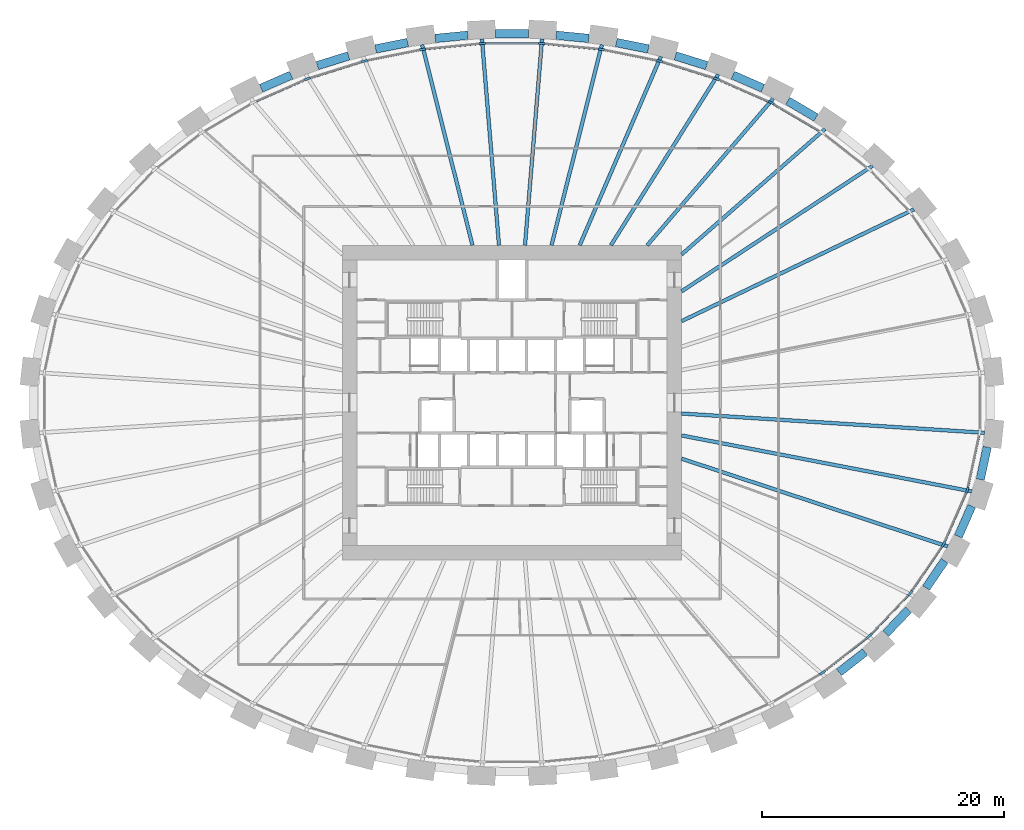
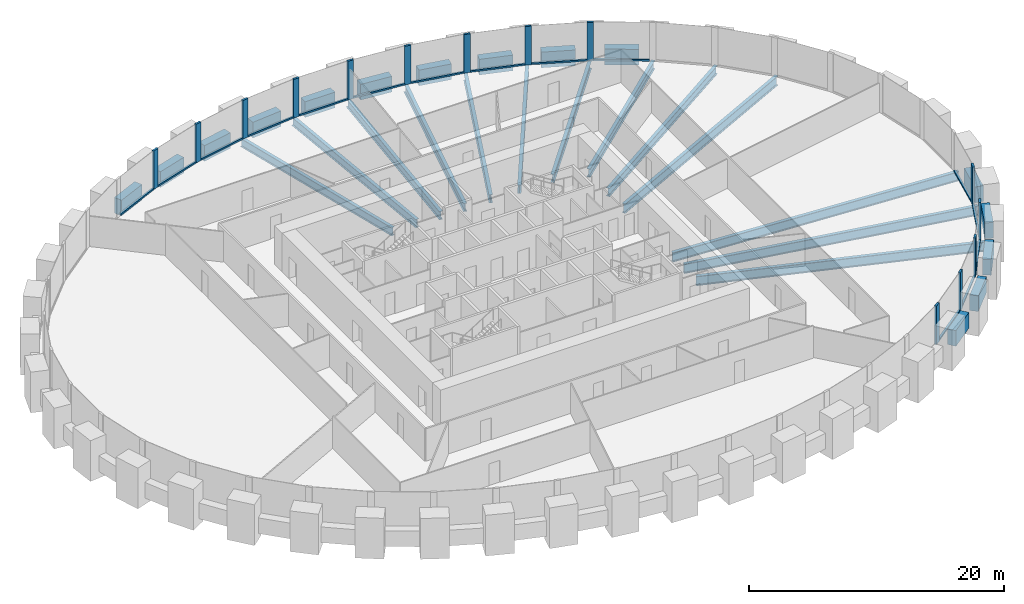
# One storey, part 3 of 10: 29 members, 28 beams, 1 element without a shape of its own.
"""IFC4 building model written with IfcOpenShell, lengths in metres."""

from ifc_helpers import new_model, si_unit, direction, frame, origin, origin_2d, place, context, subcontext, project, spatial, rectangle, i_section, extrude, source, transform, mapped, material, material_profile, profile_set, type_object, element, aggregate, save


model = new_model("IFC4")

# Units and contexts
model_context = context("Model", 3, precision=1e-05, world=origin(), true_north=direction((0.0, 1.0)))
body_context = subcontext(model_context, "Body", "Model", "MODEL_VIEW")
ifc_project = project(units=[si_unit("LENGTHUNIT", "METRE"), si_unit("AREAUNIT", "SQUARE_METRE"), si_unit("VOLUMEUNIT", "CUBIC_METRE"), si_unit("PLANEANGLEUNIT", "RADIAN"), si_unit("MASSUNIT", "GRAM", prefix="KILO")], contexts=[model_context])

# Site, building, storey
site_placement = place(None, origin())
site = spatial("IfcSite", under=ifc_project, at=site_placement, CompositionType="ELEMENT")
building_placement = place(site_placement, origin())
building = spatial("IfcBuilding", under=site, at=building_placement, Name="Embergate Tower", CompositionType="ELEMENT")
storey_placement = place(building_placement, frame((0.0, 0.0, 117.199951171875)))
storey = spatial("IfcBuildingStorey", under=building, at=storey_placement, Name="L25", CompositionType="ELEMENT", Elevation=117.199951171875)

# Beams
ifc_material_1 = material(Name="Concrete C70", Category="concrete")
ifc_material_profile_1 = material_profile(ifc_material_1, rectangle(XDim=0.699951171875, YDim=1.5, at=origin_2d()), Name="RC 700x1500")
ifc_profile_set_1 = profile_set([ifc_material_profile_1], Name="Concrete C70")
beam_type_1 = type_object("IfcBeamType", Name="Spandrel beam RC 700x1500 C70", PredefinedType="BEAM", material=ifc_profile_set_1)
shared_shape_1 = source(origin(), body_context, "Body", "SweptSolid", [
    extrude(rectangle(XDim=0.699951171875, YDim=1.5, at=origin_2d()), origin(), (0.0, 0.0, 1.0), 2.741455078125),
])
beam_1_placement = place(storey_placement, frame((38.64794921875, -6.337890625, 0.0), z_axis=(0.210532507107, 0.977586857241, 0.0), x_axis=(-0.977586857241, 0.210532507107, 0.0)))
element("IfcBeam", 1, at=beam_1_placement, inside=storey, type_object=beam_type_1, Name="SPN-L25-42", PredefinedType="BEAM", context=body_context, shape_type="MappedRepresentation", body=[
    mapped(shared_shape_1, transform((0.0, 0.0, 0.0))),
])
shared_shape_2 = source(origin(), body_context, "Body", "SweptSolid", [
    extrude(rectangle(XDim=0.699951171875, YDim=1.5, at=origin_2d()), origin(), (0.0, 0.0, 1.0), 2.73779296875),
])
beam_2_placement = place(storey_placement, frame((36.841064453125, -11.032958984375, 0.0), z_axis=(0.401740219387, 0.915753676556, 0.0), x_axis=(-0.915753676556, 0.401740219387, 0.0)))
element("IfcBeam", 2, at=beam_2_placement, inside=storey, type_object=beam_type_1, Name="SPN-L25-41", PredefinedType="BEAM", context=body_context, shape_type="MappedRepresentation", body=[
    mapped(shared_shape_2, transform((0.0, 0.0, 0.0))),
])
shared_shape_3 = source(origin(), body_context, "Body", "SweptSolid", [
    extrude(rectangle(XDim=0.699951171875, YDim=1.5, at=origin_2d()), origin(), (0.0, 0.0, 1.0), 2.727294921875),
])
beam_3_placement = place(storey_placement, frame((34.176025390625, -15.291015625, 0.0), z_axis=(0.562422644454, 0.826849907181, 0.0), x_axis=(-0.826849907181, 0.562422644454, 0.0)))
element("IfcBeam", 3, at=beam_3_placement, inside=storey, type_object=beam_type_1, Name="SPN-L25-40", PredefinedType="BEAM", context=body_context, shape_type="MappedRepresentation", body=[
    mapped(shared_shape_3, transform((0.0, 0.0, 0.0))),
])
shared_shape_4 = source(origin(), body_context, "Body", "SweptSolid", [
    extrude(rectangle(XDim=0.699951171875, YDim=1.5, at=origin_2d()), origin(), (0.0, 0.0, 1.0), 2.720947265625),
])
beam_4_placement = place(storey_placement, frame((30.85302734375, -19.050048828125, 0.0), z_axis=(0.690174788546, 0.723642702759, 0.0), x_axis=(-0.723642702759, 0.690174788546, 0.0)))
element("IfcBeam", 4, at=beam_4_placement, inside=storey, type_object=beam_type_1, Name="SPN-L25-39", PredefinedType="BEAM", context=body_context, shape_type="MappedRepresentation", body=[
    mapped(shared_shape_4, transform((0.0, 0.0, 0.0))),
])
shared_shape_5 = source(origin(), body_context, "Body", "SweptSolid", [
    extrude(rectangle(XDim=0.699951171875, YDim=1.5, at=origin_2d()), origin(), (0.0, 0.0, 1.0), 2.715087890625),
])
beam_5_placement = place(storey_placement, frame((26.9951171875, -22.25, 0.0), z_axis=(0.788183854673, 0.61543985184, 0.0), x_axis=(-0.61543985184, 0.788183854673, 0.0)))
element("IfcBeam", 5, at=beam_5_placement, inside=storey, type_object=beam_type_1, Name="SPN-L25-38", PredefinedType="BEAM", context=body_context, shape_type="MappedRepresentation", body=[
    mapped(shared_shape_5, transform((0.0, 0.0, 0.0))),
])
shared_shape_6 = source(origin(), body_context, "Body", "SweptSolid", [
    extrude(rectangle(XDim=0.699951171875, YDim=1.5, at=origin_2d()), origin(), (0.0, 0.0, 1.0), 2.70947265625),
])
beam_6_placement = place(storey_placement, frame((25.093017578125, 23.54296875, 0.0), z_axis=(-0.862100939268, 0.506736588884, 0.0), x_axis=(-0.506736588884, -0.862100939268, 0.0)))
element("IfcBeam", 6, at=beam_6_placement, inside=storey, type_object=beam_type_1, Name="SPN-L25-05", PredefinedType="BEAM", context=body_context, shape_type="MappedRepresentation", body=[
    mapped(shared_shape_6, transform((0.0, 0.0, 0.0))),
])
shared_shape_7 = source(origin(), body_context, "Body", "SweptSolid", [
    extrude(rectangle(XDim=0.699951171875, YDim=1.5, at=origin_2d()), origin(), (0.0, 0.0, 1.0), 2.70751953125),
])
for number, where, z_axis, x_axis, name in (
    (7, (20.7080078125, 25.9619140625, 0.0), (-0.91635176707, 0.400374123774, 0.0), (-0.400374123774, -0.91635176707, 0.0), "SPN-L25-06"),
    (8, (-18.22705078125, 27.0458984375, 0.0), (-0.91635176707, -0.400374123774, 0.0), (0.400374123774, -0.91635176707, 0.0), "SPN-L25-14"),
):
    element("IfcBeam", number, at=place(storey_placement, frame(where, z_axis=z_axis, x_axis=x_axis)), inside=storey, type_object=beam_type_1, Name=name, PredefinedType="BEAM", context=body_context, shape_type="MappedRepresentation", body=[
        mapped(shared_shape_7, transform((0.0, 0.0, 0.0))),
    ])
shared_shape_8 = source(origin(), body_context, "Body", "SweptSolid", [
    extrude(rectangle(XDim=0.699951171875, YDim=1.5, at=origin_2d()), origin(), (0.0, 0.0, 1.0), 2.701171875),
])
for number, where, z_axis, x_axis, name in (
    (9, (16.06494140625, 27.8310546875, 0.0), (-0.954683993788, 0.297621356768, 0.0), (-0.297621356768, -0.954683993788, 0.0), "SPN-L25-07"),
    (10, (11.257080078125, 29.202880859375, 0.0), (-0.980395998514, 0.197037270836, 0.0), (-0.197037270836, -0.980395998514, 0.0), "SPN-L25-08"),
    (11, (-8.60888671875, 29.735107421875, 0.0), (-0.980395998514, -0.197037270836, 0.0), (0.197037270836, -0.980395998514, 0.0), "SPN-L25-12"),
    (12, (-13.486083984375, 28.635009765625, 0.0), (-0.954683993788, -0.297621356768, 0.0), (0.297621356768, -0.954683993788, 0.0), "SPN-L25-13"),
):
    element("IfcBeam", number, at=place(storey_placement, frame(where, z_axis=z_axis, x_axis=x_axis)), inside=storey, type_object=beam_type_1, Name=name, PredefinedType="BEAM", context=body_context, shape_type="MappedRepresentation", body=[
        mapped(shared_shape_8, transform((0.0, 0.0, 0.0))),
    ])
shared_shape_9 = source(origin(), body_context, "Body", "SweptSolid", [
    extrude(rectangle(XDim=0.699951171875, YDim=1.5, at=origin_2d()), origin(), (0.0, 0.0, 1.0), 2.699951171875),
])
for number, where, z_axis, x_axis, name in (
    (13, (6.333984375, 30.073974609375, 0.0), (-0.995211120004, 0.097748793451, 0.0), (-0.097748793451, -0.995211120004, 0.0), "SPN-L25-09"),
    (14, (-3.64697265625, 30.337890625, 0.0), (-0.995211120004, -0.097748793451, 0.0), (0.097748793451, -0.995211120004, 0.0), "SPN-L25-11"),
):
    element("IfcBeam", number, at=place(storey_placement, frame(where, z_axis=z_axis, x_axis=x_axis)), inside=storey, type_object=beam_type_1, Name=name, PredefinedType="BEAM", context=body_context, shape_type="MappedRepresentation", body=[
        mapped(shared_shape_9, transform((0.0, 0.0, 0.0))),
    ])
shared_shape_10 = source(origin(), body_context, "Body", "SweptSolid", [
    extrude(rectangle(XDim=0.699951171875, YDim=1.5, at=origin_2d()), origin(), (0.0, 0.0, 1.0), 2.7001953125),
])
beam_7_placement = place(storey_placement, frame((1.35009765625, 30.450927734375, 0.0), z_axis=(-1.0, 0.0, 0.0), x_axis=(0.0, -1.0, 0.0)))
element("IfcBeam", 15, at=beam_7_placement, inside=storey, type_object=beam_type_1, Name="SPN-L25-10", PredefinedType="BEAM", context=body_context, shape_type="MappedRepresentation", body=[
    mapped(shared_shape_10, transform((0.0, 0.0, 0.0))),
])
ifc_material_2 = material(Name="Steel Q355B", Category="steel")
ifc_material_profile_2 = material_profile(ifc_material_2, i_section(OverallWidth=0.300048828125, OverallDepth=0.89990234375, WebThickness=0.01611328125, FlangeThickness=0.028076171875, FilletRadius=0.028076171875, at=origin_2d()), Name="HN 900x300x16x28")
ifc_profile_set_2 = profile_set([ifc_material_profile_2], Name="Steel Q355 grade B")
beam_type_2 = type_object("IfcBeamType", Name="Radial girder HN 900x300x16x28", PredefinedType="BEAM", material=ifc_profile_set_2)
shared_shape_11 = source(origin(), body_context, "Body", "SweptSolid", [
    extrude(i_section(OverallWidth=0.300048828125, OverallDepth=0.89990234375, WebThickness=0.01611328125, FlangeThickness=0.028076171875, FilletRadius=0.028076171875, at=origin_2d()), origin(), (0.0, 0.0, 1.0), 25.04833984375),
])
beam_8_placement = place(storey_placement, frame((38.998046875, -2.47705078125, -0.64990234375), z_axis=(-0.997988035397, 0.063402533111, 0.0), x_axis=(-0.063402533111, -0.997988035397, 0.0)))
element("IfcBeam", 16, at=beam_8_placement, inside=storey, type_object=beam_type_2, Name="GIR-L25-43", PredefinedType="BEAM", context=body_context, shape_type="MappedRepresentation", body=[
    mapped(shared_shape_11, transform((0.0, 0.0, 0.0))),
])
shared_shape_12 = source(origin(), body_context, "Body", "SweptSolid", [
    extrude(i_section(OverallWidth=0.300048828125, OverallDepth=0.89990234375, WebThickness=0.01611328125, FlangeThickness=0.028076171875, FilletRadius=0.028076171875, at=origin_2d()), origin(), (0.0, 0.0, 1.0), 24.397705078125),
])
beam_9_placement = place(storey_placement, frame((37.9560546875, -7.322021484375, -0.64990234375), z_axis=(-0.981898654656, 0.18940705368, 0.0), x_axis=(-0.18940705368, -0.981898654656, 0.0)))
element("IfcBeam", 17, at=beam_9_placement, inside=storey, type_object=beam_type_2, Name="GIR-L25-42", PredefinedType="BEAM", context=body_context, shape_type="MappedRepresentation", body=[
    mapped(shared_shape_12, transform((0.0, 0.0, 0.0))),
])
shared_shape_13 = source(origin(), body_context, "Body", "SweptSolid", [
    extrude(i_section(OverallWidth=0.300048828125, OverallDepth=0.89990234375, WebThickness=0.01611328125, FlangeThickness=0.028076171875, FilletRadius=0.028076171875, at=origin_2d()), origin(), (0.0, 0.0, 1.0), 23.12890625),
])
beam_10_placement = place(storey_placement, frame((35.965087890625, -11.861083984375, -0.64990234375), z_axis=(-0.949684454756, 0.313208295541, 0.0), x_axis=(-0.313208295541, -0.949684454756, 0.0)))
element("IfcBeam", 18, at=beam_10_placement, inside=storey, type_object=beam_type_2, Name="GIR-L25-41", PredefinedType="BEAM", context=body_context, shape_type="MappedRepresentation", body=[
    mapped(shared_shape_13, transform((0.0, 0.0, 0.0))),
])
shared_shape_14 = source(origin(), body_context, "Body", "SweptSolid", [
    extrude(i_section(OverallWidth=0.300048828125, OverallDepth=0.89990234375, WebThickness=0.01611328125, FlangeThickness=0.028076171875, FilletRadius=0.028076171875, at=origin_2d()), origin(), (0.0, 0.0, 1.0), 21.28076171875),
])
beam_11_placement = place(storey_placement, frame((33.177001953125, 15.9609375, -0.64990234375), z_axis=(-0.901140134985, -0.433527919654, 0.0), x_axis=(0.433527919654, -0.901140134985, 0.0)))
element("IfcBeam", 19, at=beam_11_placement, inside=storey, type_object=beam_type_2, Name="GIR-L25-03", PredefinedType="BEAM", context=body_context, shape_type="MappedRepresentation", body=[
    mapped(shared_shape_14, transform((0.0, 0.0, 0.0))),
])
ifc_material_profile_3 = material_profile(ifc_material_2, i_section(OverallWidth=0.300048828125, OverallDepth=0.800048828125, WebThickness=0.013916015625, FlangeThickness=0.02587890625, FilletRadius=0.028076171875, at=origin_2d()), Name="HN 800x300x14x26")
ifc_profile_set_3 = profile_set([ifc_material_profile_3], Name="Steel Q355 grade B")
beam_type_3 = type_object("IfcBeamType", Name="Radial girder HN 800x300x14x26", PredefinedType="BEAM", material=ifc_profile_set_3)
shared_shape_15 = source(origin(), body_context, "Body", "SweptSolid", [
    extrude(i_section(OverallWidth=0.300048828125, OverallDepth=0.800048828125, WebThickness=0.013916015625, FlangeThickness=0.02587890625, FilletRadius=0.028076171875, at=origin_2d()), origin(), (0.0, 0.0, 1.0), 18.8515625),
])
beam_12_placement = place(storey_placement, frame((29.7548828125, 19.550048828125, -0.599853515625), z_axis=(-0.835733668862, -0.549134987713, 0.0), x_axis=(0.549134987713, -0.835733668862, 0.0)))
element("IfcBeam", 20, at=beam_12_placement, inside=storey, type_object=beam_type_3, Name="GIR-L25-04", PredefinedType="BEAM", context=body_context, shape_type="MappedRepresentation", body=[
    mapped(shared_shape_15, transform((0.0, 0.0, 0.0))),
])
shared_shape_16 = source(origin(), body_context, "Body", "SweptSolid", [
    extrude(i_section(OverallWidth=0.300048828125, OverallDepth=0.800048828125, WebThickness=0.013916015625, FlangeThickness=0.02587890625, FilletRadius=0.028076171875, at=origin_2d()), origin(), (0.0, 0.0, 1.0), 15.73583984375),
])
beam_13_placement = place(storey_placement, frame((25.844970703125, 22.60205078125, -0.599853515625), z_axis=(-0.752741020376, -0.658316759807, 0.0), x_axis=(0.658316759807, -0.752741020376, 0.0)))
element("IfcBeam", 21, at=beam_13_placement, inside=storey, type_object=beam_type_3, Name="GIR-L25-05", PredefinedType="BEAM", context=body_context, shape_type="MappedRepresentation", body=[
    mapped(shared_shape_16, transform((0.0, 0.0, 0.0))),
])
shared_shape_17 = source(origin(), body_context, "Body", "SweptSolid", [
    extrude(i_section(OverallWidth=0.300048828125, OverallDepth=0.800048828125, WebThickness=0.013916015625, FlangeThickness=0.02587890625, FilletRadius=0.028076171875, at=origin_2d()), origin(), (0.0, 0.0, 1.0), 15.969970703125),
])
beam_14_placement = place(storey_placement, frame((21.568115234375, 25.115966796875, -0.599853515625), z_axis=(-0.651474728506, -0.758670335599, 0.0), x_axis=(0.758670335599, -0.651474728506, 0.0)))
element("IfcBeam", 22, at=beam_14_placement, inside=storey, type_object=beam_type_3, Name="GIR-L25-06", PredefinedType="BEAM", context=body_context, shape_type="MappedRepresentation", body=[
    mapped(shared_shape_17, transform((0.0, 0.0, 0.0))),
])
shared_shape_18 = source(origin(), body_context, "Body", "SweptSolid", [
    extrude(i_section(OverallWidth=0.300048828125, OverallDepth=0.800048828125, WebThickness=0.013916015625, FlangeThickness=0.02587890625, FilletRadius=0.028076171875, at=origin_2d()), origin(), (0.0, 0.0, 1.0), 16.65478515625),
])
beam_15_placement = place(storey_placement, frame((17.02197265625, 27.10400390625, -0.599853515625), z_axis=(-0.531850282952, -0.846838400478, 0.0), x_axis=(0.846838400478, -0.531850282952, 0.0)))
element("IfcBeam", 23, at=beam_15_placement, inside=storey, type_object=beam_type_3, Name="GIR-L25-07", PredefinedType="BEAM", context=body_context, shape_type="MappedRepresentation", body=[
    mapped(shared_shape_18, transform((0.0, 0.0, 0.0))),
])
shared_shape_19 = source(origin(), body_context, "Body", "SweptSolid", [
    extrude(i_section(OverallWidth=0.300048828125, OverallDepth=0.800048828125, WebThickness=0.013916015625, FlangeThickness=0.02587890625, FilletRadius=0.028076171875, at=origin_2d()), origin(), (0.0, 0.0, 1.0), 16.95751953125),
])
beam_16_placement = place(storey_placement, frame((12.284912109375, 28.5791015625, -0.599853515625), z_axis=(-0.394928600028, -0.918711816012, 0.0), x_axis=(0.918711816012, -0.394928600028, 0.0)))
element("IfcBeam", 24, at=beam_16_placement, inside=storey, type_object=beam_type_3, Name="GIR-L25-08", PredefinedType="BEAM", context=body_context, shape_type="MappedRepresentation", body=[
    mapped(shared_shape_19, transform((0.0, 0.0, 0.0))),
])
shared_shape_20 = source(origin(), body_context, "Body", "SweptSolid", [
    extrude(i_section(OverallWidth=0.300048828125, OverallDepth=0.800048828125, WebThickness=0.013916015625, FlangeThickness=0.02587890625, FilletRadius=0.028076171875, at=origin_2d()), origin(), (0.0, 0.0, 1.0), 17.068603515625),
])
for number, where, z_axis, x_axis, name in (
    (25, (7.419921875, 29.554931640625, -0.599853515625), (-0.243487950905, -0.969903921924, 0.0), (0.969903921924, -0.243487950905, 0.0), "GIR-L25-09"),
    (26, (-7.419921875, 29.554931640625, -0.599853515625), (0.243487950905, -0.969903921924, 0.0), (0.969903921924, 0.243487950905, 0.0), "GIR-L25-12"),
):
    element("IfcBeam", number, at=place(storey_placement, frame(where, z_axis=z_axis, x_axis=x_axis)), inside=storey, type_object=beam_type_3, Name=name, PredefinedType="BEAM", context=body_context, shape_type="MappedRepresentation", body=[
        mapped(shared_shape_20, transform((0.0, 0.0, 0.0))),
    ])
shared_shape_21 = source(origin(), body_context, "Body", "SweptSolid", [
    extrude(i_section(OverallWidth=0.300048828125, OverallDepth=0.800048828125, WebThickness=0.013916015625, FlangeThickness=0.02587890625, FilletRadius=0.028076171875, at=origin_2d()), origin(), (0.0, 0.0, 1.0), 17.09912109375),
])
for number, where, z_axis, x_axis, name in (
    (27, (2.48095703125, 30.041015625, -0.599853515625), (-0.082284484054, -0.996608882001, 0.0), (0.996608882001, -0.082284484054, 0.0), "GIR-L25-10"),
    (28, (-2.48095703125, 30.041015625, -0.599853515625), (0.082284484054, -0.996608882001, 0.0), (0.996608882001, 0.082284484054, 0.0), "GIR-L25-11"),
):
    element("IfcBeam", number, at=place(storey_placement, frame(where, z_axis=z_axis, x_axis=x_axis)), inside=storey, type_object=beam_type_3, Name=name, PredefinedType="BEAM", context=body_context, shape_type="MappedRepresentation", body=[
        mapped(shared_shape_21, transform((0.0, 0.0, 0.0))),
    ])

# Curtain wall, members
ifc_material_3 = material(Name="Aluminium and glass", Category="aluminium")
curtain_wall_type = type_object("IfcCurtainWallType", Name="Recessed office glazing", PredefinedType="NOTDEFINED", material=ifc_material_3)
curtain_wall_placement = place(storey_placement, origin())
curtain_wall = element("IfcCurtainWall", 29, at=curtain_wall_placement, inside=storey, type_object=curtain_wall_type, Name="Recessed office glazing ring", ObjectType="RECESSED OFFICE GLAZING", PredefinedType="USERDEFINED")
ifc_material_4 = material(Name="Aluminium, thermally broken", Category="aluminium")
ifc_material_profile_4 = material_profile(ifc_material_4, rectangle(XDim=0.179931640625, YDim=0.52001953125, at=origin_2d()), Name="AL 520x180")
ifc_profile_set_4 = profile_set([ifc_material_profile_4], Name="Aluminium, thermally broken")
member_type_1 = type_object("IfcMemberType", Name="Office mullion", PredefinedType="MULLION", material=ifc_profile_set_4)
shared_shape_22 = source(origin(), body_context, "Body", "SweptSolid", [
    extrude(rectangle(XDim=0.179931640625, YDim=0.52001953125, at=origin_2d()), origin(), (0.0, 0.0, 1.0), 3.699951171875),
])
member_1_placement = place(storey_placement, frame((21.391357421875, 24.768310546875, 0.0), z_axis=(0.0, 0.0, 1.0), x_axis=(-0.454516044429, -0.890738550506, 0.0)))
member_1 = element("IfcMember", 30, at=member_1_placement, type_object=member_type_1, Name="CW mullion 7", PredefinedType="MULLION", context=body_context, shape_type="MappedRepresentation", body=[
    mapped(shared_shape_22, transform((0.0, 0.0, 0.0))),
])
member_2_placement = place(storey_placement, frame((16.88623046875, 26.73828125, 0.0), z_axis=(0.0, 0.0, 1.0), x_axis=(-0.34950595337, -0.936934143128, 0.0)))
member_2 = element("IfcMember", 31, at=member_2_placement, type_object=member_type_1, Name="CW mullion 8", PredefinedType="MULLION", context=body_context, shape_type="MappedRepresentation", body=[
    mapped(shared_shape_22, transform((0.0, 0.0, 0.0))),
])
member_3_placement = place(storey_placement, frame((12.1884765625, 28.201171875, 0.0), z_axis=(0.0, 0.0, 1.0), x_axis=(-0.247315263593, -0.968935065107, 0.0)))
member_3 = element("IfcMember", 32, at=member_3_placement, type_object=member_type_1, Name="CW mullion 9", PredefinedType="MULLION", context=body_context, shape_type="MappedRepresentation", body=[
    mapped(shared_shape_22, transform((0.0, 0.0, 0.0))),
])
member_4_placement = place(storey_placement, frame((7.3623046875, 29.169189453125, 0.0), z_axis=(0.0, 0.0, 1.0), x_axis=(-0.14741410908, -0.98907486089, 0.0)))
member_4 = element("IfcMember", 33, at=member_4_placement, type_object=member_type_1, Name="CW mullion 10", PredefinedType="MULLION", context=body_context, shape_type="MappedRepresentation", body=[
    mapped(shared_shape_22, transform((0.0, 0.0, 0.0))),
])
member_5_placement = place(storey_placement, frame((2.462158203125, 29.65087890625, 0.0), z_axis=(0.0, 0.0, 1.0), x_axis=(-0.048971796621, -0.998800161762, 0.0)))
member_5 = element("IfcMember", 34, at=member_5_placement, type_object=member_type_1, Name="CW mullion 11", PredefinedType="MULLION", context=body_context, shape_type="MappedRepresentation", body=[
    mapped(shared_shape_22, transform((0.0, 0.0, 0.0))),
])
member_6_placement = place(storey_placement, frame((-2.462158203125, 29.65087890625, 0.0), z_axis=(0.0, 0.0, 1.0), x_axis=(0.048971796621, -0.998800161762, 0.0)))
member_6 = element("IfcMember", 35, at=member_6_placement, type_object=member_type_1, Name="CW mullion 12", PredefinedType="MULLION", context=body_context, shape_type="MappedRepresentation", body=[
    mapped(shared_shape_22, transform((0.0, 0.0, 0.0))),
])
member_7_placement = place(storey_placement, frame((-7.3623046875, 29.169189453125, 0.0), z_axis=(0.0, 0.0, 1.0), x_axis=(0.14741410908, -0.98907486089, 0.0)))
member_7 = element("IfcMember", 36, at=member_7_placement, type_object=member_type_1, Name="CW mullion 13", PredefinedType="MULLION", context=body_context, shape_type="MappedRepresentation", body=[
    mapped(shared_shape_22, transform((0.0, 0.0, 0.0))),
])
member_8_placement = place(storey_placement, frame((-12.1884765625, 28.201171875, 0.0), z_axis=(0.0, 0.0, 1.0), x_axis=(0.247315263593, -0.968935065107, 0.0)))
member_8 = element("IfcMember", 37, at=member_8_placement, type_object=member_type_1, Name="CW mullion 14", PredefinedType="MULLION", context=body_context, shape_type="MappedRepresentation", body=[
    mapped(shared_shape_22, transform((0.0, 0.0, 0.0))),
])
member_9_placement = place(storey_placement, frame((-16.88623046875, 26.73828125, 0.0), z_axis=(0.0, 0.0, 1.0), x_axis=(0.34950595337, -0.936934143128, 0.0)))
member_9 = element("IfcMember", 38, at=member_9_placement, type_object=member_type_1, Name="CW mullion 15", PredefinedType="MULLION", context=body_context, shape_type="MappedRepresentation", body=[
    mapped(shared_shape_22, transform((0.0, 0.0, 0.0))),
])
member_10_placement = place(storey_placement, frame((25.6259765625, -22.278564453125, 0.0), z_axis=(0.0, 0.0, 1.0), x_axis=(-0.562223392005, 0.826985403428, 0.0)))
member_10 = element("IfcMember", 39, at=member_10_placement, type_object=member_type_1, Name="CW mullion 39", PredefinedType="MULLION", context=body_context, shape_type="MappedRepresentation", body=[
    mapped(shared_shape_22, transform((0.0, 0.0, 0.0))),
])
member_11_placement = place(storey_placement, frame((29.49365234375, -19.260009765625, 0.0), z_axis=(0.0, 0.0, 1.0), x_axis=(-0.671233002577, 0.741246420734, 0.0)))
member_11 = element("IfcMember", 40, at=member_11_placement, type_object=member_type_1, Name="CW mullion 40", PredefinedType="MULLION", context=body_context, shape_type="MappedRepresentation", body=[
    mapped(shared_shape_22, transform((0.0, 0.0, 0.0))),
])
member_12_placement = place(storey_placement, frame((32.87451171875, -15.714599609375, 0.0), z_axis=(0.0, 0.0, 1.0), x_axis=(-0.777879145133, 0.628413904658, 0.0)))
member_12 = element("IfcMember", 41, at=member_12_placement, type_object=member_type_1, Name="CW mullion 41", PredefinedType="MULLION", context=body_context, shape_type="MappedRepresentation", body=[
    mapped(shared_shape_22, transform((0.0, 0.0, 0.0))),
])
member_13_placement = place(storey_placement, frame((35.62451171875, -11.6708984375, 0.0), z_axis=(0.0, 0.0, 1.0), x_axis=(-0.875006965472, 0.484110328723, 0.0)))
member_13 = element("IfcMember", 42, at=member_13_placement, type_object=member_type_1, Name="CW mullion 42", PredefinedType="MULLION", context=body_context, shape_type="MappedRepresentation", body=[
    mapped(shared_shape_22, transform((0.0, 0.0, 0.0))),
])
member_14_placement = place(storey_placement, frame((37.5849609375, -7.20068359375, 0.0), z_axis=(0.0, 0.0, 1.0), x_axis=(-0.951500482757, 0.30764725143, 0.0)))
member_14 = element("IfcMember", 43, at=member_14_placement, type_object=member_type_1, Name="CW mullion 43", PredefinedType="MULLION", context=body_context, shape_type="MappedRepresentation", body=[
    mapped(shared_shape_22, transform((0.0, 0.0, 0.0))),
])
ifc_material_profile_5 = material_profile(ifc_material_4, rectangle(XDim=0.179931640625, YDim=0.14990234375, at=origin_2d()), Name="AL 150x180")
ifc_profile_set_5 = profile_set([ifc_material_profile_5], Name="Aluminium, thermally broken")
member_type_2 = type_object("IfcMemberType", Name="Office sill transom", PredefinedType="USERDEFINED", material=ifc_profile_set_5)
shared_shape_23 = source(origin(), body_context, "Body", "SweptSolid", [
    extrude(rectangle(XDim=0.179931640625, YDim=0.14990234375, at=origin_2d()), origin(), (0.0, 0.0, 1.0), 4.361083984375),
])
member_15_placement = place(storey_placement, frame((35.72900390625, -11.432861328125, 0.074951171875), z_axis=(0.401614544281, 0.915808799817, 0.0), x_axis=(-0.915808799817, 0.401614544281, 0.0)))
member_15 = element("IfcMember", 44, at=member_15_placement, type_object=member_type_2, Name="CW transom 42.1", ObjectType="TRANSOM", PredefinedType="USERDEFINED", context=body_context, shape_type="MappedRepresentation", body=[
    mapped(shared_shape_23, transform((0.0, 0.0, 0.0))),
])
shared_shape_24 = source(origin(), body_context, "Body", "SweptSolid", [
    extrude(rectangle(XDim=0.179931640625, YDim=0.14990234375, at=origin_2d()), origin(), (0.0, 0.0, 1.0), 4.37890625),
])
member_16_placement = place(storey_placement, frame((29.673095703125, -19.07177734375, 0.074951171875), z_axis=(0.690125589668, 0.723689623032, 0.0), x_axis=(-0.723689623032, 0.690125589668, 0.0)))
member_16 = element("IfcMember", 45, at=member_16_placement, type_object=member_type_2, Name="CW transom 40.1", ObjectType="TRANSOM", PredefinedType="USERDEFINED", context=body_context, shape_type="MappedRepresentation", body=[
    mapped(shared_shape_24, transform((0.0, 0.0, 0.0))),
])
shared_shape_25 = source(origin(), body_context, "Body", "SweptSolid", [
    extrude(rectangle(XDim=0.179931640625, YDim=0.14990234375, at=origin_2d()), origin(), (0.0, 0.0, 1.0), 4.404296875),
])
member_17_placement = place(storey_placement, frame((2.2021484375, 29.65087890625, 0.074951171875), z_axis=(-1.0, 0.0, 0.0), x_axis=(0.0, -1.0, 0.0)))
member_17 = element("IfcMember", 46, at=member_17_placement, type_object=member_type_2, Name="CW transom 11.1", ObjectType="TRANSOM", PredefinedType="USERDEFINED", context=body_context, shape_type="MappedRepresentation", body=[
    mapped(shared_shape_25, transform((0.0, 0.0, 0.0))),
])
shared_shape_26 = source(origin(), body_context, "Body", "SweptSolid", [
    extrude(rectangle(XDim=0.179931640625, YDim=0.14990234375, at=origin_2d()), origin(), (0.0, 0.0, 1.0), 4.354248046875),
])
member_18_placement = place(storey_placement, frame((37.6396484375, -6.94677734375, 0.074951171875), z_axis=(0.21042500241, 0.977610003202, 0.0), x_axis=(-0.977610003202, 0.21042500241, 0.0)))
member_18 = element("IfcMember", 47, at=member_18_placement, type_object=member_type_2, Name="CW transom 43.1", ObjectType="TRANSOM", PredefinedType="USERDEFINED", context=body_context, shape_type="MappedRepresentation", body=[
    mapped(shared_shape_26, transform((0.0, 0.0, 0.0))),
])
shared_shape_27 = source(origin(), body_context, "Body", "SweptSolid", [
    extrude(rectangle(XDim=0.179931640625, YDim=0.14990234375, at=origin_2d()), origin(), (0.0, 0.0, 1.0), 4.3701171875),
])
member_19_placement = place(storey_placement, frame((33.020751953125, -15.499755859375, 0.074951171875), z_axis=(0.562334469625, 0.826909876753, 0.0), x_axis=(-0.826909876753, 0.562334469625, 0.0)))
member_19 = element("IfcMember", 48, at=member_19_placement, type_object=member_type_2, Name="CW transom 41.1", ObjectType="TRANSOM", PredefinedType="USERDEFINED", context=body_context, shape_type="MappedRepresentation", body=[
    mapped(shared_shape_27, transform((0.0, 0.0, 0.0))),
])
shared_shape_28 = source(origin(), body_context, "Body", "SweptSolid", [
    extrude(rectangle(XDim=0.179931640625, YDim=0.14990234375, at=origin_2d()), origin(), (0.0, 0.0, 1.0), 4.386474609375),
])
member_20_placement = place(storey_placement, frame((25.830810546875, -22.11865234375, 0.074951171875), z_axis=(0.78833816957, 0.615242172156, 0.0), x_axis=(-0.615242172156, 0.78833816957, 0.0)))
member_20 = element("IfcMember", 49, at=member_20_placement, type_object=member_type_2, Name="CW transom 39.1", ObjectType="TRANSOM", PredefinedType="USERDEFINED", context=body_context, shape_type="MappedRepresentation", body=[
    mapped(shared_shape_28, transform((0.0, 0.0, 0.0))),
])
shared_shape_29 = source(origin(), body_context, "Body", "SweptSolid", [
    extrude(rectangle(XDim=0.179931640625, YDim=0.14990234375, at=origin_2d()), origin(), (0.0, 0.0, 1.0), 4.392333984375),
])
member_21_placement = place(storey_placement, frame((25.40185546875, 22.410400390625, 0.074951171875), z_axis=(-0.862029933252, 0.506857370645, 0.0), x_axis=(-0.506857370645, -0.862029933252, 0.0)))
member_21 = element("IfcMember", 50, at=member_21_placement, type_object=member_type_2, Name="CW transom 6.1", ObjectType="TRANSOM", PredefinedType="USERDEFINED", context=body_context, shape_type="MappedRepresentation", body=[
    mapped(shared_shape_29, transform((0.0, 0.0, 0.0))),
])
shared_shape_30 = source(origin(), body_context, "Body", "SweptSolid", [
    extrude(rectangle(XDim=0.179931640625, YDim=0.14990234375, at=origin_2d()), origin(), (0.0, 0.0, 1.0), 4.396728515625),
])
member_22_placement = place(storey_placement, frame((21.153076171875, 24.87255859375, 0.074951171875), z_axis=(-0.91624269748, 0.400623662949, 0.0), x_axis=(-0.400623662949, -0.91624269748, 0.0)))
member_22 = element("IfcMember", 51, at=member_22_placement, type_object=member_type_2, Name="CW transom 7.1", ObjectType="TRANSOM", PredefinedType="USERDEFINED", context=body_context, shape_type="MappedRepresentation", body=[
    mapped(shared_shape_30, transform((0.0, 0.0, 0.0))),
])
member_23_placement = place(storey_placement, frame((-17.12451171875, 26.634033203125, 0.074951171875), z_axis=(-0.91624269748, -0.400623662949, 0.0), x_axis=(0.400623662949, -0.91624269748, 0.0)))
member_23 = element("IfcMember", 52, at=member_23_placement, type_object=member_type_2, Name="CW transom 15.1", ObjectType="TRANSOM", PredefinedType="USERDEFINED", context=body_context, shape_type="MappedRepresentation", body=[
    mapped(shared_shape_30, transform((0.0, 0.0, 0.0))),
])
shared_shape_31 = source(origin(), body_context, "Body", "SweptSolid", [
    extrude(rectangle(XDim=0.179931640625, YDim=0.14990234375, at=origin_2d()), origin(), (0.0, 0.0, 1.0), 4.400146484375),
])
member_24_placement = place(storey_placement, frame((16.637939453125, 26.815673828125, 0.074951171875), z_axis=(-0.954787500192, 0.297289134474, 0.0), x_axis=(-0.297289134474, -0.954787500192, 0.0)))
member_24 = element("IfcMember", 53, at=member_24_placement, type_object=member_type_2, Name="CW transom 8.1", ObjectType="TRANSOM", PredefinedType="USERDEFINED", context=body_context, shape_type="MappedRepresentation", body=[
    mapped(shared_shape_31, transform((0.0, 0.0, 0.0))),
])
member_25_placement = place(storey_placement, frame((-12.436767578125, 28.123779296875, 0.074951171875), z_axis=(-0.954787500192, -0.297289134474, 0.0), x_axis=(0.297289134474, -0.954787500192, 0.0)))
member_25 = element("IfcMember", 54, at=member_25_placement, type_object=member_type_2, Name="CW transom 14.1", ObjectType="TRANSOM", PredefinedType="USERDEFINED", context=body_context, shape_type="MappedRepresentation", body=[
    mapped(shared_shape_31, transform((0.0, 0.0, 0.0))),
])
shared_shape_32 = source(origin(), body_context, "Body", "SweptSolid", [
    extrude(rectangle(XDim=0.179931640625, YDim=0.14990234375, at=origin_2d()), origin(), (0.0, 0.0, 1.0), 4.40234375),
])
member_26_placement = place(storey_placement, frame((11.93359375, 28.25244140625, 0.074951171875), z_axis=(-0.980473883267, 0.196649343329, 0.0), x_axis=(-0.196649343329, -0.980473883267, 0.0)))
member_26 = element("IfcMember", 55, at=member_26_placement, type_object=member_type_2, Name="CW transom 9.1", ObjectType="TRANSOM", PredefinedType="USERDEFINED", context=body_context, shape_type="MappedRepresentation", body=[
    mapped(shared_shape_32, transform((0.0, 0.0, 0.0))),
])
member_27_placement = place(storey_placement, frame((-7.6171875, 29.1181640625, 0.074951171875), z_axis=(-0.980473883267, -0.196649343329, 0.0), x_axis=(0.196649343329, -0.980473883267, 0.0)))
member_27 = element("IfcMember", 56, at=member_27_placement, type_object=member_type_2, Name="CW transom 13.1", ObjectType="TRANSOM", PredefinedType="USERDEFINED", context=body_context, shape_type="MappedRepresentation", body=[
    mapped(shared_shape_32, transform((0.0, 0.0, 0.0))),
])
shared_shape_33 = source(origin(), body_context, "Body", "SweptSolid", [
    extrude(rectangle(XDim=0.179931640625, YDim=0.14990234375, at=origin_2d()), origin(), (0.0, 0.0, 1.0), 4.404052734375),
])
member_28_placement = place(storey_placement, frame((7.103515625, 29.194580078125, 0.074951171875), z_axis=(-0.995201571056, 0.097845965514, 0.0), x_axis=(-0.097845965514, -0.995201571056, 0.0)))
member_28 = element("IfcMember", 57, at=member_28_placement, type_object=member_type_2, Name="CW transom 10.1", ObjectType="TRANSOM", PredefinedType="USERDEFINED", context=body_context, shape_type="MappedRepresentation", body=[
    mapped(shared_shape_33, transform((0.0, 0.0, 0.0))),
])
member_29_placement = place(storey_placement, frame((-2.720703125, 29.62548828125, 0.074951171875), z_axis=(-0.995201571056, -0.097845965514, 0.0), x_axis=(0.097845965514, -0.995201571056, 0.0)))
member_29 = element("IfcMember", 58, at=member_29_placement, type_object=member_type_2, Name="CW transom 12.1", ObjectType="TRANSOM", PredefinedType="USERDEFINED", context=body_context, shape_type="MappedRepresentation", body=[
    mapped(shared_shape_33, transform((0.0, 0.0, 0.0))),
])
aggregate(curtain_wall, [member_1, member_2, member_3, member_4, member_5, member_6, member_7, member_8, member_9, member_10, member_11, member_12, member_13, member_14, member_21, member_22, member_24, member_26, member_28, member_17, member_29, member_27, member_25, member_23, member_20, member_16, member_19, member_15, member_18])

save(model, "model.ifc")
